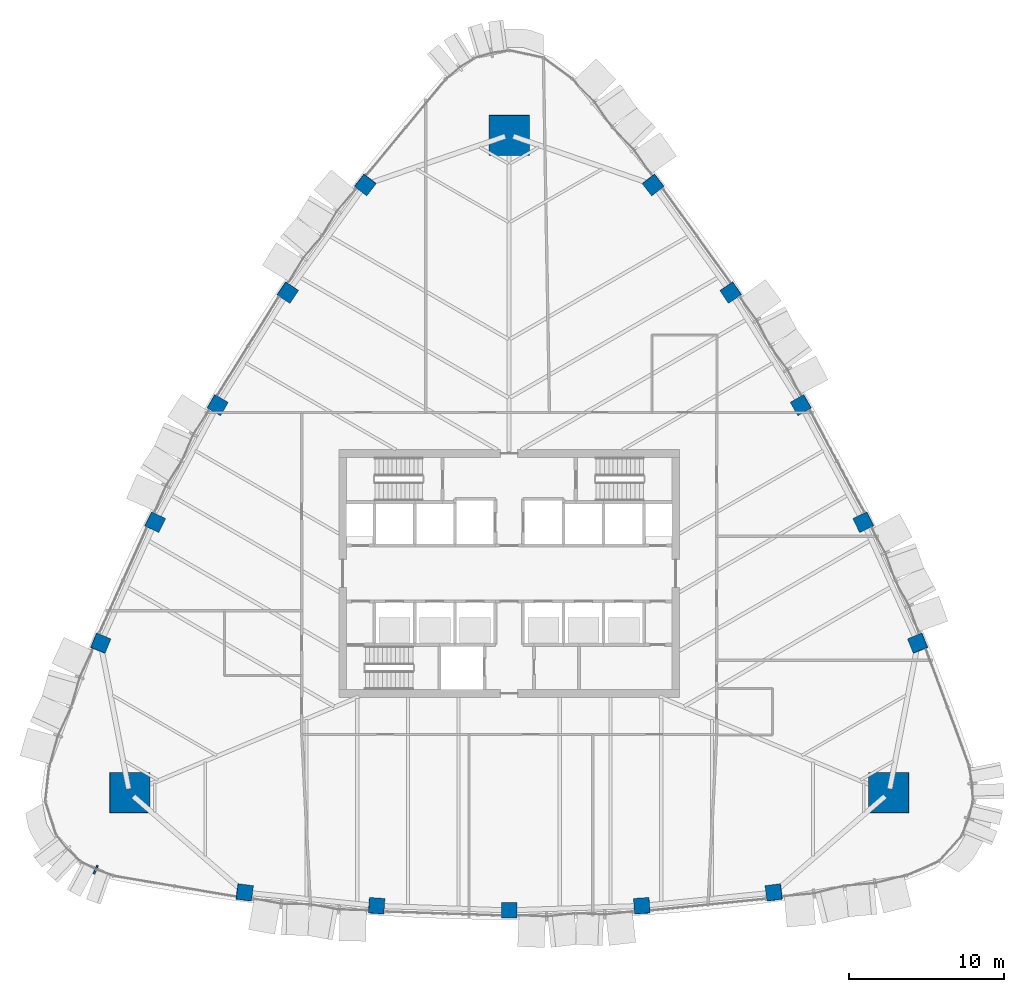
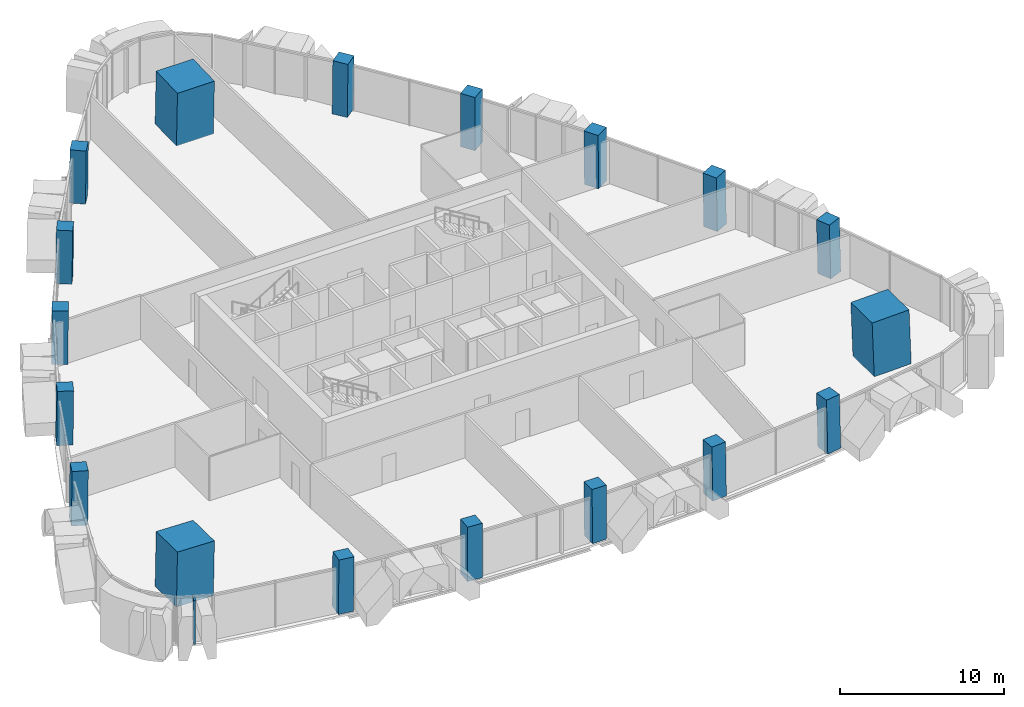
# One storey, part 1 of 17: 18 columns, 1 member, 1 element without a shape of its own.
"""IFC4 building model written with IfcOpenShell, lengths in metres."""

from ifc_helpers import new_model, si_unit, direction, frame, origin, origin_2d, place, context, subcontext, project, spatial, rectangle, extrude, material, layer, layer_set, material_profile, profile_set, type_object, element, aggregate, save


model = new_model("IFC4")

# Units and contexts
model_context = context("Model", 3, precision=1e-05, world=origin(), true_north=direction((0.0, 1.0)))
body_context = subcontext(model_context, "Body", "Model", "MODEL_VIEW")
ifc_project = project(units=[si_unit("LENGTHUNIT", "METRE"), si_unit("AREAUNIT", "SQUARE_METRE"), si_unit("VOLUMEUNIT", "CUBIC_METRE"), si_unit("PLANEANGLEUNIT", "RADIAN"), si_unit("MASSUNIT", "GRAM", prefix="KILO")], contexts=[model_context])

# Site, building, storey
site_placement = place(None, origin())
site = spatial("IfcSite", under=ifc_project, at=site_placement, CompositionType="ELEMENT")
building_placement = place(site_placement, origin())
building = spatial("IfcBuilding", under=site, at=building_placement, Name="Sierra Prisma Convention Tower", CompositionType="ELEMENT")
storey_placement = place(building_placement, frame((0.0, 0.0, 145.800048828125)))
storey = spatial("IfcBuildingStorey", under=building, at=storey_placement, Name="L31", CompositionType="ELEMENT", Elevation=145.800048828125)

# Columns
ifc_material_1 = material(Name="Concrete C60/75", Category="concrete")
ifc_material_profile_1 = material_profile(ifc_material_1, rectangle(XDim=2.60009765625, YDim=2.60009765625, at=origin_2d()), Name="Mega column RC 2600 C60/75")
ifc_profile_set_1 = profile_set([ifc_material_profile_1], Name="Concrete C60/75")
column_type_1 = type_object("IfcColumnType", Name="Mega column RC 2600 C60/75", PredefinedType="COLUMN", material=ifc_profile_set_1)
for number, where, z_axis, x_axis, name in (
    (1, (24.533203125, -14.164306640625, 0.0), (-0.02806141744, 0.01622681965, 0.999474485505), (0.999606200887, 0.000455526946, 0.028057719863), "Mega column SE L31"),
    (2, (0.0, 28.32861328125, 0.0), (0.0, -0.032453598962, 0.999473243221), (1.0, 0.0, 0.0), "Mega column N L31"),
    (3, (-24.533203125, -14.164306640625, 0.0), (0.02806141744, 0.01622681965, 0.999474485505), (0.999606200887, -0.000455526946, -0.028057719863), "Mega column SW L31"),
):
    element("IfcColumn", number, at=place(storey_placement, frame(where, z_axis=z_axis, x_axis=x_axis)), inside=storey, type_object=column_type_1, Name=name, PredefinedType="COLUMN", context=body_context, shape_type="SweptSolid", body=[
        extrude(rectangle(XDim=2.60009765625, YDim=2.60009765625, at=origin_2d()), origin(), (0.0, 0.0, 1.0), 4.002197265625),
    ])
ifc_material_2 = material(Name="Concrete C60/75", Category="concrete")
ifc_material_profile_2 = material_profile(ifc_material_2, rectangle(XDim=1.0, YDim=1.0, at=origin_2d()), Name="Perimeter column RC 1000 C60/75")
ifc_profile_set_2 = profile_set([ifc_material_profile_2], Name="Concrete C60/75")
column_type_2 = type_object("IfcColumnType", Name="Perimeter column RC 1000 C60/75", PredefinedType="COLUMN", material=ifc_profile_set_2)
column_1_placement = place(storey_placement, frame((-17.101806640625, -20.607421875, 0.0), z_axis=(0.017696459735, 0.010434809016, 0.999788952766), x_axis=(-0.990846712505, 0.134023553505, 0.016139374938)))
element("IfcColumn", 4, at=column_1_placement, inside=storey, type_object=column_type_2, Name="Perimeter column S-1 L31", PredefinedType="COLUMN", context=body_context, shape_type="SweptSolid", body=[
    extrude(rectangle(XDim=1.0, YDim=1.0, at=origin_2d()), origin(), (0.0, 0.0, 1.0), 4.000732421875),
])
column_2_placement = place(storey_placement, frame((-8.570068359375, -21.469482421875, 0.0), z_axis=(0.008849193104, 0.011229320904, 0.999897791843), x_axis=(-0.997708871927, 0.067169886377, 0.008075471639)))
element("IfcColumn", 5, at=column_2_placement, inside=storey, type_object=column_type_2, Name="Perimeter column S-2 L31", PredefinedType="COLUMN", context=body_context, shape_type="SweptSolid", body=[
    extrude(rectangle(XDim=1.0, YDim=1.0, at=origin_2d()), origin(), (0.0, 0.0, 1.0), 4.00048828125),
])
column_3_placement = place(storey_placement, frame((0.0, -21.757080078125, 0.0), z_axis=(0.0, 0.01141283087, 0.999934871525), x_axis=(1.0, 0.0, 0.0)))
element("IfcColumn", 6, at=column_3_placement, inside=storey, type_object=column_type_2, Name="Perimeter column S-3 L31", PredefinedType="COLUMN", context=body_context, shape_type="SweptSolid", body=[
    extrude(rectangle(XDim=1.0, YDim=1.0, at=origin_2d()), origin(), (0.0, 0.0, 1.0), 4.000244140625),
])
column_4_placement = place(storey_placement, frame((8.570068359375, -21.469482421875, 0.0), z_axis=(-0.008849193104, 0.011229320904, 0.999897791843), x_axis=(0.997708871927, 0.067169886377, 0.008075471639)))
element("IfcColumn", 7, at=column_4_placement, inside=storey, type_object=column_type_2, Name="Perimeter column S-4 L31", PredefinedType="COLUMN", context=body_context, shape_type="SweptSolid", body=[
    extrude(rectangle(XDim=1.0, YDim=1.0, at=origin_2d()), origin(), (0.0, 0.0, 1.0), 4.00048828125),
])
for number, where, z_axis, x_axis, name in (
    (8, (17.101806640625, -20.607421875, 0.0), (-0.017696459735, 0.010434809016, 0.999788952766), (0.990846712505, 0.134023553505, 0.016139374938), "Perimeter column S-5 L31"),
    (9, (26.3974609375, -4.5068359375, 0.0), (-0.01794052709, 0.010129685364, 0.999787740954), (-0.379524247415, 0.925040251516, -0.016182666656), "Perimeter column NE-1 L31"),
):
    element("IfcColumn", number, at=place(storey_placement, frame(where, z_axis=z_axis, x_axis=x_axis)), inside=storey, type_object=column_type_2, Name=name, PredefinedType="COLUMN", context=body_context, shape_type="SweptSolid", body=[
        extrude(rectangle(XDim=1.0, YDim=1.0, at=origin_2d()), origin(), (0.0, 0.0, 1.0), 4.000732421875),
    ])
column_5_placement = place(storey_placement, frame((22.878173828125, 3.312744140625, 0.0), z_axis=(-0.014158706356, 0.002074982828, 0.999897607498), x_axis=(-0.440741161284, 0.897597660168, -0.008103654166)))
element("IfcColumn", 10, at=column_5_placement, inside=storey, type_object=column_type_2, Name="Perimeter column NE-2 L31", PredefinedType="COLUMN", context=body_context, shape_type="SweptSolid", body=[
    extrude(rectangle(XDim=1.0, YDim=1.0, at=origin_2d()), origin(), (0.0, 0.0, 1.0), 4.00048828125),
])
column_6_placement = place(storey_placement, frame((18.84228515625, 10.878662109375, 0.0), z_axis=(-0.009948074445, -0.005736926367, 0.999934059571), x_axis=(-0.499975258342, 0.8660396879, -5.385525e-06)))
element("IfcColumn", 11, at=column_6_placement, inside=storey, type_object=column_type_2, Name="Perimeter column NE-3 L31", PredefinedType="COLUMN", context=body_context, shape_type="SweptSolid", body=[
    extrude(rectangle(XDim=1.0, YDim=1.0, at=origin_2d()), origin(), (0.0, 0.0, 1.0), 4.000244140625),
])
column_7_placement = place(storey_placement, frame((14.30810546875, 18.15673828125, 0.0), z_axis=(-0.005309513766, -0.013304298863, 0.999897397084), x_axis=(-0.55695474253, 0.830503413083, 0.0080929371)))
element("IfcColumn", 12, at=column_7_placement, inside=storey, type_object=column_type_2, Name="Perimeter column NE-4 L31", PredefinedType="COLUMN", context=body_context, shape_type="SweptSolid", body=[
    extrude(rectangle(XDim=1.0, YDim=1.0, at=origin_2d()), origin(), (0.0, 0.0, 1.0), 4.00048828125),
])
for number, where, z_axis, x_axis, name in (
    (13, (9.295654296875, 25.1142578125, 0.0), (-0.000183066744, -0.020564497584, 0.999788511599), (-0.611416548334, 0.791143872923, 0.016160964083), "Perimeter column NE-5 L31"),
    (14, (-9.295654296875, 25.1142578125, 0.0), (0.000183066744, -0.020564497584, 0.999788511599), (0.611416548334, 0.791143872923, 0.016160964083), "Perimeter column NW-1 L31"),
):
    element("IfcColumn", number, at=place(storey_placement, frame(where, z_axis=z_axis, x_axis=x_axis)), inside=storey, type_object=column_type_2, Name=name, PredefinedType="COLUMN", context=body_context, shape_type="SweptSolid", body=[
        extrude(rectangle(XDim=1.0, YDim=1.0, at=origin_2d()), origin(), (0.0, 0.0, 1.0), 4.000732421875),
    ])
column_8_placement = place(storey_placement, frame((-14.30810546875, 18.15673828125, 0.0), z_axis=(0.005309513766, -0.013304298863, 0.999897397084), x_axis=(0.55695474253, 0.830503413083, 0.0080929371)))
element("IfcColumn", 15, at=column_8_placement, inside=storey, type_object=column_type_2, Name="Perimeter column NW-2 L31", PredefinedType="COLUMN", context=body_context, shape_type="SweptSolid", body=[
    extrude(rectangle(XDim=1.0, YDim=1.0, at=origin_2d()), origin(), (0.0, 0.0, 1.0), 4.00048828125),
])
column_9_placement = place(storey_placement, frame((-18.84228515625, 10.878662109375, 0.0), z_axis=(0.009948074445, -0.005736926367, 0.999934059571), x_axis=(0.499975258342, 0.8660396879, -5.385525e-06)))
element("IfcColumn", 16, at=column_9_placement, inside=storey, type_object=column_type_2, Name="Perimeter column NW-3 L31", PredefinedType="COLUMN", context=body_context, shape_type="SweptSolid", body=[
    extrude(rectangle(XDim=1.0, YDim=1.0, at=origin_2d()), origin(), (0.0, 0.0, 1.0), 4.000244140625),
])
column_10_placement = place(storey_placement, frame((-22.878173828125, 3.312744140625, 0.0), z_axis=(0.014158706356, 0.002074982828, 0.999897607498), x_axis=(0.440741161284, 0.897597660168, -0.008103654166)))
element("IfcColumn", 17, at=column_10_placement, inside=storey, type_object=column_type_2, Name="Perimeter column NW-4 L31", PredefinedType="COLUMN", context=body_context, shape_type="SweptSolid", body=[
    extrude(rectangle(XDim=1.0, YDim=1.0, at=origin_2d()), origin(), (0.0, 0.0, 1.0), 4.00048828125),
])
column_11_placement = place(storey_placement, frame((-26.3974609375, -4.5068359375, 0.0), z_axis=(0.01794052709, 0.010129685364, 0.999787740954), x_axis=(0.379524247415, 0.925040251516, -0.016182666656)))
element("IfcColumn", 18, at=column_11_placement, inside=storey, type_object=column_type_2, Name="Perimeter column NW-5 L31", PredefinedType="COLUMN", context=body_context, shape_type="SweptSolid", body=[
    extrude(rectangle(XDim=1.0, YDim=1.0, at=origin_2d()), origin(), (0.0, 0.0, 1.0), 4.000732421875),
])

# Curtain wall, member
ifc_material_3 = material(Name="Aluminium and glass curtain wall", Category="aluminium")
ifc_layer = layer(ifc_material_3, 0.179931640625)
ifc_layer_set = layer_set([ifc_layer], Name="CW-2 Faceted crystal curtain wall")
curtain_wall_type = type_object("IfcCurtainWallType", Name="CW-2 Faceted crystal curtain wall", PredefinedType="NOTDEFINED", material=ifc_layer_set)
curtain_wall_placement = place(storey_placement, origin())
curtain_wall = element("IfcCurtainWall", 19, at=curtain_wall_placement, inside=storey, type_object=curtain_wall_type, Name="CW-2 SW4 L31", PredefinedType="NOTDEFINED")
ifc_material_4 = material(Name="Aluminium 6063-T6 bronze anodised", Category="aluminium")
ifc_material_profile_3 = material_profile(ifc_material_4, rectangle(XDim=0.1201171875, YDim=0.60009765625, at=origin_2d()), Name="ALU RIDGE BLADE 120x600")
ifc_profile_set_3 = profile_set([ifc_material_profile_3], Name="Aluminium 6063-T6 bronze anodised")
member_type = type_object("IfcMemberType", Name="CW hip bronze", PredefinedType="MULLION", material=ifc_profile_set_3)
member_placement = place(storey_placement, frame((-26.710693359375, -19.1357421875, 0.0), z_axis=(0.0, 0.0, 1.0), x_axis=(0.915988373638, -0.401204809741, 0.0)))
member = element("IfcMember", 20, at=member_placement, type_object=member_type, Name="CW-2 ridge SW4.1", PredefinedType="MULLION", context=body_context, shape_type="SweptSolid", body=[
    extrude(rectangle(XDim=0.1201171875, YDim=0.60009765625, at=origin_2d()), origin(), (0.0, 0.0, 1.0), 3.280029296875),
])
aggregate(curtain_wall, [member])

save(model, "model.ifc")
